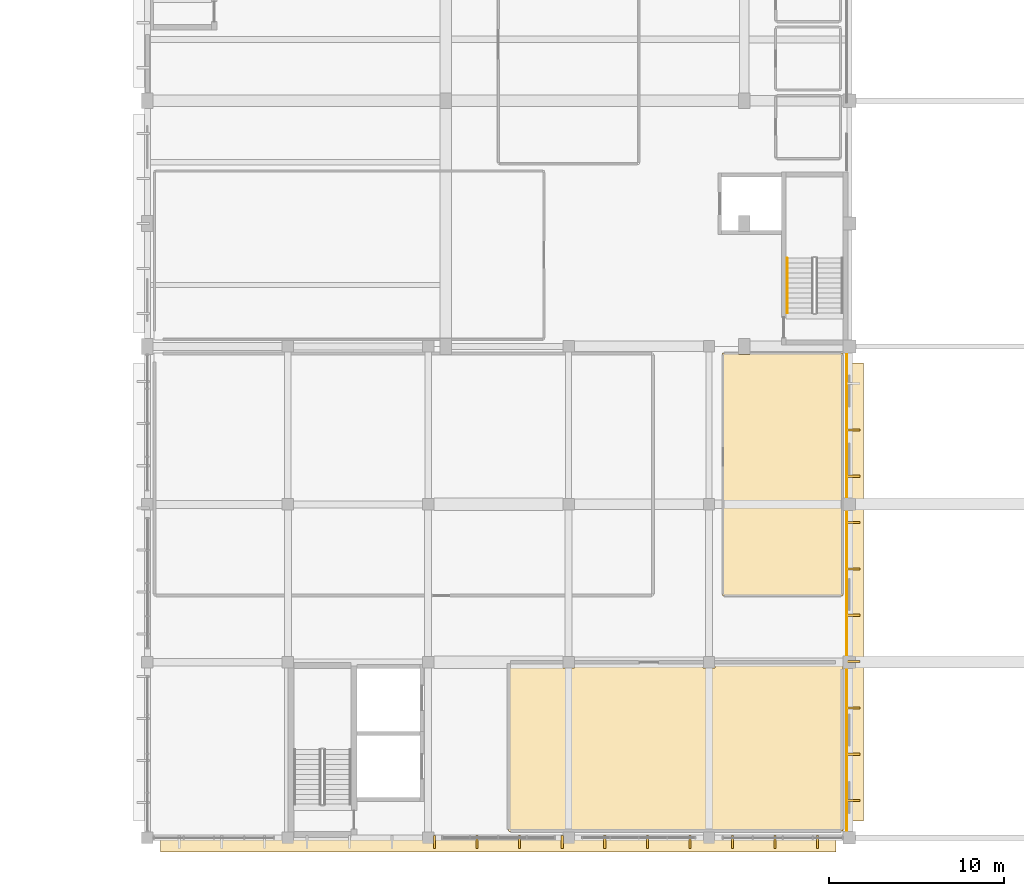
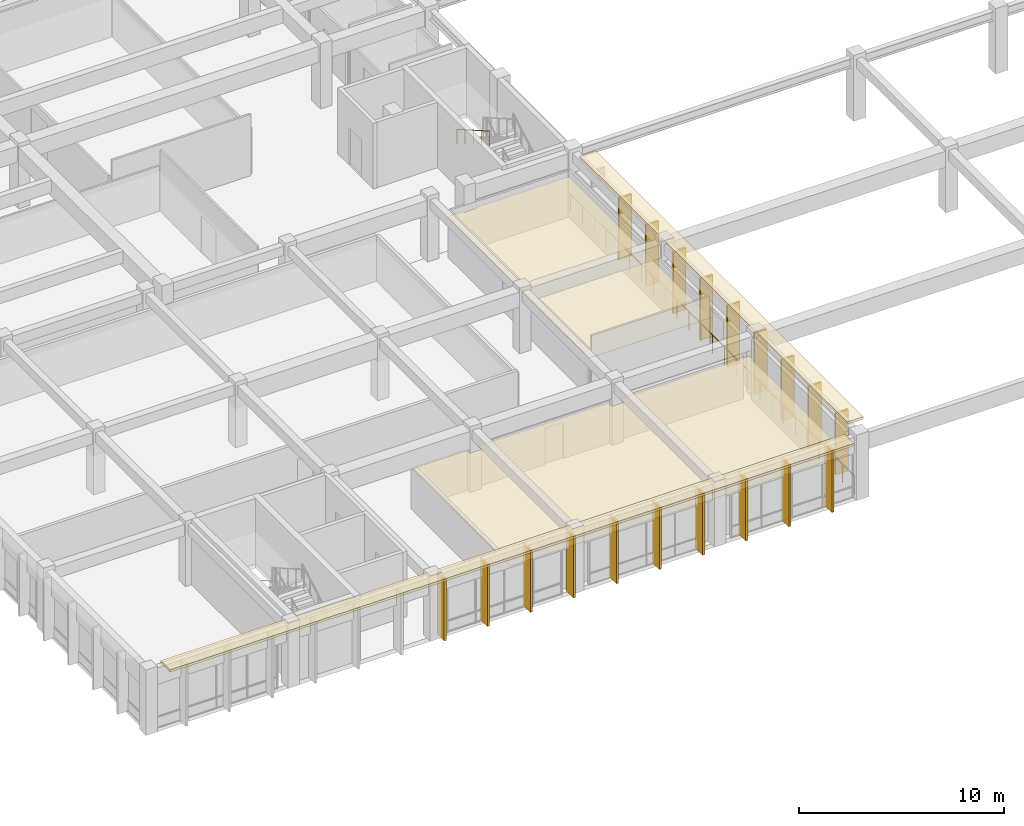
# One storey, part 94 of 98: 23 coverings, 2 railings.
"""IFC4 building model written with IfcOpenShell, lengths in metres."""

from ifc_helpers import new_model, si_unit, direction, frame, origin, origin_2d, place, context, subcontext, project, spatial, polyline, rectangle, circle, outline, extrude, material, layer, layer_set, type_object, element, save


model = new_model("IFC4")

# Units and contexts
model_context = context("Model", 3, precision=1e-05, world=origin(), true_north=direction((0.0, 1.0)))
body_context = subcontext(model_context, "Body", "Model", "MODEL_VIEW")
ifc_project = project(units=[si_unit("LENGTHUNIT", "METRE"), si_unit("AREAUNIT", "SQUARE_METRE"), si_unit("VOLUMEUNIT", "CUBIC_METRE"), si_unit("PLANEANGLEUNIT", "RADIAN"), si_unit("MASSUNIT", "GRAM", prefix="KILO")], contexts=[model_context])

# Site, building, storey
site_placement = place(None, origin())
site = spatial("IfcSite", under=ifc_project, at=site_placement, CompositionType="ELEMENT")
building_placement = place(site_placement, origin())
building = spatial("IfcBuilding", under=site, at=building_placement, Name="Larkveld Mobility Hub", CompositionType="ELEMENT")
storey_placement = place(building_placement, frame((0.0, 0.0, 4.5)))
storey = spatial("IfcBuildingStorey", under=building, at=storey_placement, Name="L01", CompositionType="ELEMENT", Elevation=4.5)

# Coverings
ifc_material_1 = material(Name="Precast concrete C50/60", Category="concrete")
ifc_layer_1 = layer(ifc_material_1, 0.14990234375, Name="Precast concrete C50/60", Category="concrete")
ifc_layer_set_1 = layer_set([ifc_layer_1], Name="Precast concrete C50/60")
covering_type_1 = type_object("IfcCoveringType", Name="COV-QSL-H01", PredefinedType="CLADDING", material=ifc_layer_set_1)
covering_1_placement = place(storey_placement, frame((132.0, -0.340087890625, 3.670166015625), z_axis=(0.0, 0.0, 1.0), x_axis=(1.0, 0.0, 0.0)))
element("IfcCovering", 1, at=covering_1_placement, inside=storey, type_object=covering_type_1, Name="Precast Quebra-Sol Horizontal Sunbreaker QSH-206", PredefinedType="CLADDING", context=body_context, shape_type="SweptSolid", body=[
    extrude(rectangle(XDim=38.5, YDim=0.919921875, at=origin_2d()), origin(), (0.0, 0.0, 1.0), 0.14990234375),
])
covering_2_placement = place(storey_placement, frame((152.340087890625, 14.0, 3.670166015625), z_axis=(0.0, 0.0, 1.0), x_axis=(0.0, 1.0, 0.0)))
element("IfcCovering", 2, at=covering_2_placement, inside=storey, type_object=covering_type_1, Name="Precast Quebra-Sol Horizontal Sunbreaker QSH-223", PredefinedType="CLADDING", context=body_context, shape_type="SweptSolid", body=[
    extrude(rectangle(XDim=26.10009765625, YDim=0.919921875, at=origin_2d()), origin(), (0.0, 0.0, 1.0), 0.14990234375),
])
ifc_layer_2 = layer(ifc_material_1, 0.1201171875, Name="Precast concrete C50/60", Category="concrete")
ifc_layer_set_2 = layer_set([ifc_layer_2], Name="Precast concrete C50/60")
covering_type_2 = type_object("IfcCoveringType", Name="COV-QSL-V01", PredefinedType="CLADDING", material=ifc_layer_set_2)
for number, where, z_axis, x_axis, name in (
    (3, (128.363037109375, -0.239990234375, -0.0205078125), (0.0, 0.0, 1.0), (1.0, 0.0, 0.0), "Precast Quebra-Sol Vertical Fin QSV-213"),
    (4, (130.787109375, -0.239990234375, -0.0205078125), (0.0, 0.0, 1.0), (1.0, 0.0, 0.0), "Precast Quebra-Sol Vertical Fin QSV-214"),
    (5, (133.212890625, -0.239990234375, -0.0205078125), (0.0, 0.0, 1.0), (1.0, 0.0, 0.0), "Precast Quebra-Sol Vertical Fin QSV-215"),
    (6, (135.636962890625, -0.239990234375, -0.0205078125), (0.0, 0.0, 1.0), (1.0, 0.0, 0.0), "Precast Quebra-Sol Vertical Fin QSV-216"),
    (7, (138.06201171875, -0.239990234375, -0.0205078125), (0.0, 0.0, 1.0), (1.0, 0.0, 0.0), "Precast Quebra-Sol Vertical Fin QSV-217"),
    (8, (140.488037109375, -0.239990234375, -0.0205078125), (0.0, 0.0, 1.0), (1.0, 0.0, 0.0), "Precast Quebra-Sol Vertical Fin QSV-218"),
    (9, (142.912109375, -0.239990234375, -0.0205078125), (0.0, 0.0, 1.0), (1.0, 0.0, 0.0), "Precast Quebra-Sol Vertical Fin QSV-219"),
    (10, (145.337890625, -0.239990234375, -0.0205078125), (0.0, 0.0, 1.0), (1.0, 0.0, 0.0), "Precast Quebra-Sol Vertical Fin QSV-220"),
    (11, (147.761962890625, -0.239990234375, -0.0205078125), (0.0, 0.0, 1.0), (1.0, 0.0, 0.0), "Precast Quebra-Sol Vertical Fin QSV-221"),
    (12, (150.18798828125, -0.239990234375, -0.0205078125), (0.0, 0.0, 1.0), (1.0, 0.0, 0.0), "Precast Quebra-Sol Vertical Fin QSV-222"),
    (13, (152.239990234375, 2.1201171875, -0.0205078125), (0.0, 0.0, 1.0), (0.0, 1.0, 0.0), "Precast Quebra-Sol Vertical Fin QSV-224"),
    (14, (152.239990234375, 4.760009765625, -0.0205078125), (0.0, 0.0, 1.0), (0.0, 1.0, 0.0), "Precast Quebra-Sol Vertical Fin QSV-225"),
    (15, (152.239990234375, 7.39990234375, -0.0205078125), (0.0, 0.0, 1.0), (0.0, 1.0, 0.0), "Precast Quebra-Sol Vertical Fin QSV-226"),
    (16, (152.239990234375, 10.0400390625, -0.0205078125), (0.0, 0.0, 1.0), (0.0, 1.0, 0.0), "Precast Quebra-Sol Vertical Fin QSV-227"),
    (17, (152.239990234375, 12.679931640625, -0.0205078125), (0.0, 0.0, 1.0), (0.0, 1.0, 0.0), "Precast Quebra-Sol Vertical Fin QSV-228"),
    (18, (152.239990234375, 15.320068359375, -0.0205078125), (0.0, 0.0, 1.0), (0.0, 1.0, 0.0), "Precast Quebra-Sol Vertical Fin QSV-229"),
    (19, (152.239990234375, 17.9599609375, -0.0205078125), (0.0, 0.0, 1.0), (0.0, 1.0, 0.0), "Precast Quebra-Sol Vertical Fin QSV-230"),
    (20, (152.239990234375, 20.60009765625, -0.0205078125), (0.0, 0.0, 1.0), (0.0, 1.0, 0.0), "Precast Quebra-Sol Vertical Fin QSV-231"),
    (21, (152.239990234375, 23.239990234375, -0.0205078125), (0.0, 0.0, 1.0), (0.0, 1.0, 0.0), "Precast Quebra-Sol Vertical Fin QSV-232"),
):
    element("IfcCovering", number, at=place(storey_placement, frame(where, z_axis=z_axis, x_axis=x_axis)), inside=storey, type_object=covering_type_2, Name=name, PredefinedType="CLADDING", context=body_context, shape_type="SweptSolid", body=[
        extrude(rectangle(XDim=0.1201171875, YDim=0.719970703125, at=origin_2d()), origin(), (0.0, 0.0, 1.0), 3.675048828125),
    ])
ifc_material_2 = material(Name="Perforated mineral-fibre acoustic ceiling", Category="masonry")
ifc_layer_3 = layer(ifc_material_2, 0.02001953125, Name="Perforated mineral-fibre acoustic ceiling", Category="masonry")
ifc_layer_set_3 = layer_set([ifc_layer_3], Name="Perforated mineral-fibre acoustic ceiling")
covering_type_3 = type_object("IfcCoveringType", Name="CV-CLG-020", PredefinedType="CEILING", material=ifc_layer_set_3)
covering_3_placement = place(storey_placement, frame((0.0, 0.0, 2.330078125)))
element("IfcCovering", 22, at=covering_3_placement, inside=storey, type_object=covering_type_3, Name="Fleet Spare Parts and Tyre Store Acoustic Ceiling 022", PredefinedType="CEILING", context=body_context, shape_type="SweptSolid", body=[
    extrude(outline(polyline([(132.616943359375, 0.3701171875), (132.614013671875, 0.37109375), (132.611083984375, 0.37109375), (132.60888671875, 0.3720703125), (132.60595703125, 0.3740234375), (132.60302734375, 0.375), (132.60107421875, 0.376953125), (132.59912109375, 0.37890625), (132.5791015625, 0.39892578125), (132.576904296875, 0.40087890625), (132.574951171875, 0.403076171875), (132.573974609375, 0.406005859375), (132.572021484375, 0.408935546875), (132.571044921875, 0.410888671875), (132.571044921875, 0.4140625), (132.570068359375, 0.4169921875), (132.570068359375, 0.419921875), (132.570068359375, 9.97998046875), (132.570068359375, 9.98291015625), (132.570068359375, 9.985107421875), (132.571044921875, 9.988037109375), (132.572021484375, 9.990966796875), (132.572998046875, 9.992919921875), (132.573974609375, 9.9951171875), (132.5849609375, 10.012939453125), (132.5869140625, 10.01611328125), (132.589111328125, 10.01806640625), (132.591064453125, 10.02001953125), (132.593017578125, 10.02197265625), (132.595947265625, 10.02392578125), (132.59912109375, 10.02490234375), (132.60107421875, 10.02587890625), (132.60400390625, 10.027099609375), (132.60693359375, 10.027099609375), (132.611083984375, 10.028076171875), (135.669921875, 10.028076171875), (135.669921875, 9.669921875), (136.330078125, 9.669921875), (136.330078125, 10.028076171875), (143.669921875, 10.029052734375), (143.669921875, 9.669921875), (144.330078125, 9.669921875), (144.330078125, 10.029052734375), (151.580078125, 10.030029296875), (151.5830078125, 10.030029296875), (151.5849609375, 10.030029296875), (151.587890625, 10.029052734375), (151.591064453125, 10.028076171875), (151.593017578125, 10.027099609375), (151.594970703125, 10.02587890625), (151.613037109375, 10.014892578125), (151.615966796875, 10.012939453125), (151.617919921875, 10.010986328125), (151.6201171875, 10.009033203125), (151.6220703125, 10.007080078125), (151.6240234375, 10.00390625), (151.625, 10.0009765625), (151.6259765625, 9.9990234375), (151.626953125, 9.99609375), (151.626953125, 9.992919921875), (151.6279296875, 9.989013671875), (151.6298828125, 0.419921875), (151.6298828125, 0.4169921875), (151.6298828125, 0.4150390625), (151.62890625, 0.412109375), (151.6279296875, 0.408935546875), (151.626953125, 0.406982421875), (151.6259765625, 0.405029296875), (151.614990234375, 0.386962890625), (151.613037109375, 0.384033203125), (151.611083984375, 0.382080078125), (151.60888671875, 0.3798828125), (151.60693359375, 0.3779296875), (151.60400390625, 0.3759765625), (151.60107421875, 0.375), (151.59912109375, 0.3740234375), (151.595947265625, 0.373046875), (151.593017578125, 0.373046875), (151.589111328125, 0.3720703125), (132.6201171875, 0.3701171875), (132.616943359375, 0.3701171875)])), origin(), (0.0, 0.0, 1.0), 0.02001953125),
])
ifc_material_3 = material(Name="Moisture-resistant gypsum board ceiling", Category="masonry")
ifc_layer_4 = layer(ifc_material_3, 0.02490234375, Name="Moisture-resistant gypsum board ceiling", Category="masonry")
ifc_layer_set_4 = layer_set([ifc_layer_4], Name="Moisture-resistant gypsum board ceiling")
covering_type_4 = type_object("IfcCoveringType", Name="CV-CLG-025", PredefinedType="CEILING", material=ifc_layer_set_4)
covering_4_placement = place(storey_placement, frame((0.0, 0.0, 2.324951171875)))
element("IfcCovering", 23, at=covering_4_placement, inside=storey, type_object=covering_type_4, Name="Fleet Operations Dispatch Office Acoustic Ceiling 023", PredefinedType="CEILING", context=body_context, shape_type="SweptSolid", body=[
    extrude(outline(polyline([(144.81689453125, 13.77001953125), (144.81396484375, 13.77099609375), (144.81103515625, 13.77099609375), (144.80908203125, 13.77197265625), (144.805908203125, 13.77392578125), (144.802978515625, 13.77490234375), (144.801025390625, 13.777099609375), (144.799072265625, 13.779052734375), (144.779052734375, 13.799072265625), (144.777099609375, 13.801025390625), (144.77490234375, 13.802978515625), (144.77392578125, 13.805908203125), (144.77197265625, 13.80908203125), (144.77099609375, 13.81103515625), (144.77099609375, 13.81396484375), (144.77001953125, 13.81689453125), (144.77001953125, 13.820068359375), (144.77197265625, 27.589111328125), (144.77294921875, 27.593017578125), (144.77294921875, 27.595947265625), (144.77392578125, 27.59912109375), (144.77490234375, 27.60107421875), (144.77587890625, 27.60400390625), (144.778076171875, 27.60693359375), (144.780029296875, 27.60888671875), (144.781982421875, 27.611083984375), (144.783935546875, 27.613037109375), (144.787109375, 27.614990234375), (144.804931640625, 27.6259765625), (144.806884765625, 27.626953125), (144.80908203125, 27.6279296875), (144.81201171875, 27.62890625), (144.81494140625, 27.6298828125), (144.81689453125, 27.6298828125), (144.820068359375, 27.6298828125), (145.669921875, 27.6298828125), (145.669921875, 27.544921875), (146.330078125, 27.544921875), (146.330078125, 27.62890625), (151.589111328125, 27.6279296875), (151.593017578125, 27.626953125), (151.595947265625, 27.626953125), (151.59912109375, 27.6259765625), (151.60107421875, 27.625), (151.60400390625, 27.6240234375), (151.60693359375, 27.6220703125), (151.60888671875, 27.6201171875), (151.611083984375, 27.617919921875), (151.613037109375, 27.615966796875), (151.614990234375, 27.613037109375), (151.6259765625, 27.594970703125), (151.626953125, 27.593017578125), (151.6279296875, 27.591064453125), (151.62890625, 27.587890625), (151.6298828125, 27.5849609375), (151.6298828125, 27.5830078125), (151.6298828125, 27.580078125), (151.6279296875, 13.81103515625), (151.626953125, 13.806884765625), (151.626953125, 13.803955078125), (151.6259765625, 13.801025390625), (151.625, 13.799072265625), (151.6240234375, 13.7958984375), (151.6220703125, 13.79296875), (151.6201171875, 13.791015625), (151.617919921875, 13.7890625), (151.615966796875, 13.787109375), (151.613037109375, 13.784912109375), (151.594970703125, 13.77392578125), (151.593017578125, 13.77294921875), (151.590087890625, 13.77197265625), (151.5859375, 13.77099609375), (151.5830078125, 13.77001953125), (151.580078125, 13.77001953125), (144.820068359375, 13.77001953125), (144.81689453125, 13.77001953125)])), origin(), (0.0, 0.0, 1.0), 0.025146484375),
])

# Railings
ifc_material_4 = material(Name="Galvanized Steel S355JR void balustrade", Category="steel")
railing_type_1 = type_object("IfcRailingType", Name="RL-GRD-1120", PredefinedType="GUARDRAIL", material=ifc_material_4)
railing_1_placement = place(storey_placement, frame((151.840087890625, 0.159912109375, 0.0)))
element("IfcRailing", 24, at=railing_1_placement, inside=storey, type_object=railing_type_1, Name="Workshop Overlook Gallery Guard L01 L01-067", PredefinedType="GUARDRAIL", context=body_context, shape_type="SweptSolid", body=[
    extrude(circle(Radius=0.02392578125, at=origin_2d()), frame((0.0, 0.0, 1.09619140625), z_axis=(0.0, 1.0, 0.0), x_axis=(-1.0, 0.0, 0.0)), (0.0, 0.0, 1.0), 27.68017578125),
    extrude(circle(Radius=0.02099609375, at=origin_2d()), origin(), (0.0, 0.0, 1.0), 1.072021484375),
    extrude(circle(Radius=0.02099609375, at=origin_2d()), frame((0.0, 1.1533203125, 0.0)), (0.0, 0.0, 1.0), 1.072021484375),
    extrude(circle(Radius=0.02099609375, at=origin_2d()), frame((0.0, 2.306640625, 0.0)), (0.0, 0.0, 1.0), 1.072021484375),
    extrude(circle(Radius=0.02099609375, at=origin_2d()), frame((0.0, 3.4599609375, 0.0)), (0.0, 0.0, 1.0), 1.072021484375),
    extrude(circle(Radius=0.02099609375, at=origin_2d()), frame((0.0, 4.61328125, 0.0)), (0.0, 0.0, 1.0), 1.072021484375),
    extrude(circle(Radius=0.02099609375, at=origin_2d()), frame((0.0, 5.7666015625, 0.0)), (0.0, 0.0, 1.0), 1.072021484375),
    extrude(circle(Radius=0.02099609375, at=origin_2d()), frame((0.0, 6.919921875, 0.0)), (0.0, 0.0, 1.0), 1.072021484375),
    extrude(circle(Radius=0.02099609375, at=origin_2d()), frame((0.0, 8.073486328125, 0.0)), (0.0, 0.0, 1.0), 1.072021484375),
    extrude(circle(Radius=0.02099609375, at=origin_2d()), frame((0.0, 9.226806640625, 0.0)), (0.0, 0.0, 1.0), 1.072021484375),
    extrude(circle(Radius=0.02099609375, at=origin_2d()), frame((0.0, 10.380126953125, 0.0)), (0.0, 0.0, 1.0), 1.072021484375),
    extrude(circle(Radius=0.02099609375, at=origin_2d()), frame((0.0, 11.533447265625, 0.0)), (0.0, 0.0, 1.0), 1.072021484375),
    extrude(circle(Radius=0.02099609375, at=origin_2d()), frame((0.0, 12.686767578125, 0.0)), (0.0, 0.0, 1.0), 1.072021484375),
    extrude(circle(Radius=0.02099609375, at=origin_2d()), frame((0.0, 13.840087890625, 0.0)), (0.0, 0.0, 1.0), 1.072021484375),
    extrude(circle(Radius=0.02099609375, at=origin_2d()), frame((0.0, 14.993408203125, 0.0)), (0.0, 0.0, 1.0), 1.072021484375),
    extrude(circle(Radius=0.02099609375, at=origin_2d()), frame((0.0, 16.146728515625, 0.0)), (0.0, 0.0, 1.0), 1.072021484375),
    extrude(circle(Radius=0.02099609375, at=origin_2d()), frame((0.0, 17.300048828125, 0.0)), (0.0, 0.0, 1.0), 1.072021484375),
    extrude(circle(Radius=0.02099609375, at=origin_2d()), frame((0.0, 18.453369140625, 0.0)), (0.0, 0.0, 1.0), 1.072021484375),
    extrude(circle(Radius=0.02099609375, at=origin_2d()), frame((0.0, 19.606689453125, 0.0)), (0.0, 0.0, 1.0), 1.072021484375),
    extrude(circle(Radius=0.02099609375, at=origin_2d()), frame((0.0, 20.76025390625, 0.0)), (0.0, 0.0, 1.0), 1.072021484375),
    extrude(circle(Radius=0.02099609375, at=origin_2d()), frame((0.0, 21.91357421875, 0.0)), (0.0, 0.0, 1.0), 1.072021484375),
    extrude(circle(Radius=0.02099609375, at=origin_2d()), frame((0.0, 23.06689453125, 0.0)), (0.0, 0.0, 1.0), 1.072021484375),
    extrude(circle(Radius=0.02099609375, at=origin_2d()), frame((0.0, 24.22021484375, 0.0)), (0.0, 0.0, 1.0), 1.072021484375),
    extrude(circle(Radius=0.02099609375, at=origin_2d()), frame((0.0, 25.37353515625, 0.0)), (0.0, 0.0, 1.0), 1.072021484375),
    extrude(circle(Radius=0.02099609375, at=origin_2d()), frame((0.0, 26.52685546875, 0.0)), (0.0, 0.0, 1.0), 1.072021484375),
    extrude(circle(Radius=0.02099609375, at=origin_2d()), frame((0.0, 27.68017578125, 0.0)), (0.0, 0.0, 1.0), 1.072021484375),
])
ifc_material_5 = material(Name="Brushed Steel S355JR tubular handrail", Category="steel")
railing_type_2 = type_object("IfcRailingType", Name="RL-HND-0900", PredefinedType="HANDRAIL", material=ifc_material_5)
railing_2_placement = place(storey_placement, frame((148.449951171875, 33.034912109375, 2.112548828125)))
element("IfcRailing", 25, at=railing_2_placement, inside=storey, type_object=railing_type_2, Name="L01 ST1 stair handrail 2", PredefinedType="HANDRAIL", context=body_context, shape_type="SweptSolid", body=[
    extrude(circle(Radius=0.02392578125, at=origin_2d()), frame((0.0, 0.0, 0.8759765625), z_axis=(0.0, -0.868729823959, 0.495286273749), x_axis=(1.0, 0.0, 0.0)), (0.0, 0.0, 1.0), 3.608642578125),
    extrude(circle(Radius=0.02099609375, at=origin_2d()), origin(), (0.0, 0.0, 1.0), 0.851806640625),
    extrude(circle(Radius=0.02099609375, at=origin_2d()), frame((0.0, -0.78369140625, 0.44677734375)), (0.0, 0.0, 1.0), 0.851806640625),
    extrude(circle(Radius=0.02099609375, at=origin_2d()), frame((0.0, -1.5673828125, 0.8935546875)), (0.0, 0.0, 1.0), 0.851806640625),
    extrude(circle(Radius=0.02099609375, at=origin_2d()), frame((0.0, -2.351318359375, 1.340576171875)), (0.0, 0.0, 1.0), 0.851806640625),
    extrude(circle(Radius=0.02099609375, at=origin_2d()), frame((0.0, -3.135009765625, 1.787353515625)), (0.0, 0.0, 1.0), 0.851806640625),
])

save(model, "model.ifc")
